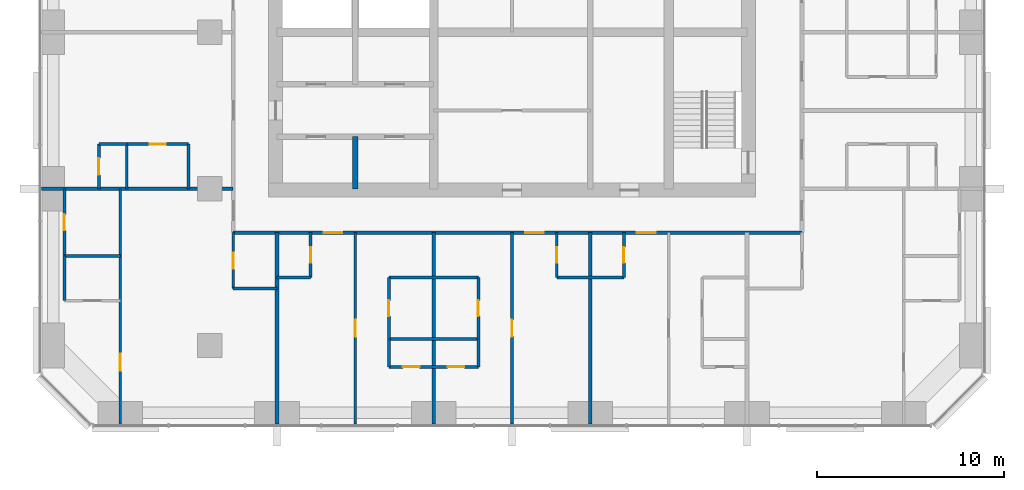
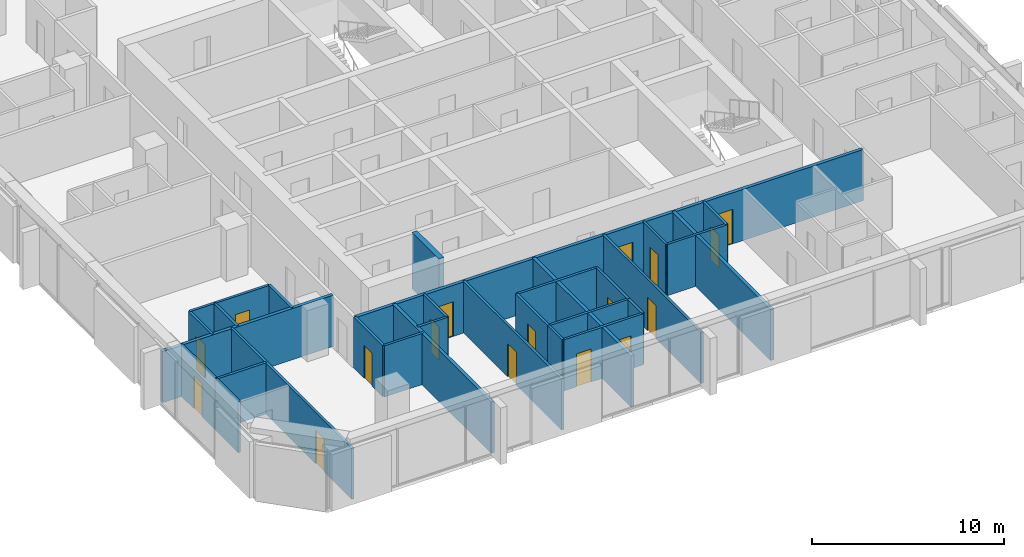
# One storey, part 8 of 14: 31 walls, 17 doors, 17 openings.
"""IFC4 building model written with IfcOpenShell, lengths in metres."""

from ifc_helpers import new_model, si_unit, direction, frame, frame_2d, origin, place, context, subcontext, project, spatial, rectangle, extrude, material, layer, layer_set, type_object, element, fill, save


model = new_model("IFC4")

# Units and contexts
model_context = context("Model", 3, precision=1e-05, world=origin(), true_north=direction((0.0, 1.0)))
body_context = subcontext(model_context, "Body", "Model", "MODEL_VIEW")
ifc_project = project(units=[si_unit("LENGTHUNIT", "METRE"), si_unit("AREAUNIT", "SQUARE_METRE"), si_unit("VOLUMEUNIT", "CUBIC_METRE"), si_unit("PLANEANGLEUNIT", "RADIAN"), si_unit("MASSUNIT", "GRAM", prefix="KILO")], contexts=[model_context])

# Site, building, storey
site_placement = place(None, origin())
site = spatial("IfcSite", under=ifc_project, at=site_placement, CompositionType="ELEMENT")
building_placement = place(site_placement, origin())
building = spatial("IfcBuilding", under=site, at=building_placement, Name="Dunama Terrace Hotel", CompositionType="ELEMENT")
storey_placement = place(building_placement, frame((0.0, 0.0, 177.0)))
storey = spatial("IfcBuildingStorey", under=building, at=storey_placement, Name="L45", CompositionType="ELEMENT", Elevation=177.0)

# Wall, opening, door
ifc_material_1 = material(Name="Gypsum board partition", Category="masonry")
ifc_layer_1 = layer(ifc_material_1, 0.14990234375)
ifc_layer_set_1 = layer_set([ifc_layer_1], Name="Bathroom partition 150")
wall_type_1 = type_object("IfcWallType", Name="Bathroom partition 150", PredefinedType="PARTITIONING", material=ifc_layer_set_1)
wall_1_placement = place(storey_placement, frame((5.39990234375, 13.199951171875, 0.0), z_axis=(0.0, 0.0, 1.0), x_axis=(0.0, 1.0, 0.0)))
wall_1 = element("IfcWall", 1, at=wall_1_placement, inside=storey, type_object=wall_type_1, Name="Bathroom partition 150 L45", PredefinedType="PARTITIONING", context=body_context, shape_type="SweptSolid", body=[
    extrude(rectangle(XDim=3.60009765625, YDim=0.14990234375, at=frame_2d((1.800048828125, 0.0))), origin(), (0.0, 0.0, 1.0), 3.25),
])
opening_1_placement = place(wall_1_placement, frame((1.375, 0.0, 0.0)))
opening_1 = element("IfcOpeningElement", 2, at=opening_1_placement, cuts=wall_1, Name="Opening L45-055", PredefinedType="OPENING", context=body_context, shape_type="SweptSolid", body=[
    extrude(rectangle(XDim=0.85009765625, YDim=2.10009765625, at=frame_2d((0.425048828125, 1.050048828125))), frame((0.0, 0.0849609375, 0.0), z_axis=(0.0, -1.0, 0.0), x_axis=(1.0, 0.0, 0.0)), (0.0, 0.0, 1.0), 0.169921875),
])
ifc_material_2 = material(Name="Timber door with steel frame", Category="steel")
door_type_1 = type_object("IfcDoorType", Name="Bathroom door 850", OperationType="SINGLE_SWING_LEFT", PredefinedType="DOOR", material=ifc_material_2)
door_1_placement = place(opening_1_placement, frame((0.85009765625, 0.0, 0.0), z_axis=(0.0, 0.0, 1.0), x_axis=(-1.0, 0.0, 0.0)))
door_1 = element("IfcDoor", 3, at=door_1_placement, inside=storey, type_object=door_type_1, Name="Door to en-suite bathroom L45-055, type D2", OperationType="SINGLE_SWING_LEFT", OverallHeight=2.10009765625, OverallWidth=0.85009765625, PredefinedType="DOOR", context=body_context, shape_type="SweptSolid", body=[
    extrude(rectangle(XDim=0.85009765625, YDim=2.10009765625, at=frame_2d((0.425048828125, 1.050048828125))), frame((0.0, 0.025146484375, 0.0), z_axis=(0.0, -1.0, 0.0), x_axis=(1.0, 0.0, 0.0)), (0.0, 0.0, 1.0), 0.050048828125),
])
fill(opening_1, door_1)

# Wall
wall_2_placement = place(storey_placement, frame((12.050048828125, 16.800048828125, 0.0), z_axis=(0.0, 0.0, 1.0), x_axis=(0.0, 1.0, 0.0)))
element("IfcWall", 4, at=wall_2_placement, inside=storey, type_object=wall_type_1, Name="Bathroom partition 150 L45", PredefinedType="PARTITIONING", context=body_context, shape_type="SweptSolid", body=[
    extrude(rectangle(XDim=2.39990234375, YDim=0.14990234375, at=frame_2d((1.199951171875, 0.0))), origin(), (0.0, 0.0, 1.0), 3.25),
])

# Wall, opening, door
wall_3_placement = place(storey_placement, frame((14.449951171875, 11.449951171875, 0.0), z_axis=(0.0, 0.0, 1.0), x_axis=(0.0, 1.0, 0.0)))
wall_3 = element("IfcWall", 5, at=wall_3_placement, inside=storey, type_object=wall_type_1, Name="Bathroom partition 150 L45", PredefinedType="PARTITIONING", context=body_context, shape_type="SweptSolid", body=[
    extrude(rectangle(XDim=3.0, YDim=0.14990234375, at=frame_2d((1.5, 0.0))), origin(), (0.0, 0.0, 1.0), 3.25),
])
opening_2_placement = place(wall_3_placement, frame((1.074951171875, 0.0, 0.0)))
opening_2 = element("IfcOpeningElement", 6, at=opening_2_placement, cuts=wall_3, Name="Opening L45-053", PredefinedType="OPENING", context=body_context, shape_type="SweptSolid", body=[
    extrude(rectangle(XDim=0.85009765625, YDim=2.10009765625, at=frame_2d((0.425048828125, 1.050048828125))), frame((0.0, 0.0849609375, 0.0), z_axis=(0.0, -1.0, 0.0), x_axis=(1.0, 0.0, 0.0)), (0.0, 0.0, 1.0), 0.169921875),
])
door_2_placement = place(opening_2_placement, frame((0.85009765625, 0.0, 0.0), z_axis=(0.0, 0.0, 1.0), x_axis=(-1.0, 0.0, 0.0)))
door_2 = element("IfcDoor", 7, at=door_2_placement, inside=storey, type_object=door_type_1, Name="Door to powder room L45-053, type D2", OperationType="SINGLE_SWING_LEFT", OverallHeight=2.10009765625, OverallWidth=0.85009765625, PredefinedType="DOOR", context=body_context, shape_type="SweptSolid", body=[
    extrude(rectangle(XDim=0.85009765625, YDim=2.10009765625, at=frame_2d((0.425048828125, 1.050048828125))), frame((0.0, 0.025146484375, 0.0), z_axis=(0.0, -1.0, 0.0), x_axis=(1.0, 0.0, 0.0)), (0.0, 0.0, 1.0), 0.050048828125),
])
fill(opening_2, door_2)

wall_4_placement = place(storey_placement, frame((18.60009765625, 12.050048828125, 0.0), z_axis=(0.0, 0.0, 1.0), x_axis=(0.0, 1.0, 0.0)))
wall_4 = element("IfcWall", 8, at=wall_4_placement, inside=storey, type_object=wall_type_1, Name="Bathroom partition 150 L45", PredefinedType="PARTITIONING", context=body_context, shape_type="SweptSolid", body=[
    extrude(rectangle(XDim=2.39990234375, YDim=0.14990234375, at=frame_2d((1.199951171875, 0.0))), origin(), (0.0, 0.0, 1.0), 3.25),
])
opening_3_placement = place(wall_4_placement, frame((0.77490234375, 0.0, 0.0)))
opening_3 = element("IfcOpeningElement", 9, at=opening_3_placement, cuts=wall_4, Name="Opening L45-010", PredefinedType="OPENING", context=body_context, shape_type="SweptSolid", body=[
    extrude(rectangle(XDim=0.85009765625, YDim=2.10009765625, at=frame_2d((0.425048828125, 1.050048828125))), frame((0.0, 0.0849609375, 0.0), z_axis=(0.0, -1.0, 0.0), x_axis=(1.0, 0.0, 0.0)), (0.0, 0.0, 1.0), 0.169921875),
])
door_3_placement = place(opening_3_placement, origin())
door_3 = element("IfcDoor", 10, at=door_3_placement, inside=storey, type_object=door_type_1, Name="Door to powder room L45-010, type D2", OperationType="SINGLE_SWING_RIGHT", OverallHeight=2.10009765625, OverallWidth=0.85009765625, PredefinedType="DOOR", context=body_context, shape_type="SweptSolid", body=[
    extrude(rectangle(XDim=0.85009765625, YDim=2.10009765625, at=frame_2d((0.425048828125, 1.050048828125))), frame((0.0, 0.02490234375, 0.0), z_axis=(0.0, -1.0, 0.0), x_axis=(1.0, 0.0, 0.0)), (0.0, 0.0, 1.0), 0.050048828125),
])
fill(opening_3, door_3)

wall_5_placement = place(storey_placement, frame((22.800048828125, 8.75, 0.0), z_axis=(0.0, 0.0, 1.0), x_axis=(0.0, 1.0, 0.0)))
wall_5 = element("IfcWall", 11, at=wall_5_placement, inside=storey, type_object=wall_type_1, Name="Bathroom partition 150 L45", PredefinedType="PARTITIONING", context=body_context, shape_type="SweptSolid", body=[
    extrude(rectangle(XDim=3.300048828125, YDim=0.14990234375, at=frame_2d((1.64990234375, 0.0))), origin(), (0.0, 0.0, 1.0), 3.25),
])
opening_4_placement = place(wall_5_placement, frame((1.22509765625, 0.0, 0.0)))
opening_4 = element("IfcOpeningElement", 12, at=opening_4_placement, cuts=wall_5, Name="Opening L45-012", PredefinedType="OPENING", context=body_context, shape_type="SweptSolid", body=[
    extrude(rectangle(XDim=0.85009765625, YDim=2.10009765625, at=frame_2d((0.425048828125, 1.050048828125))), frame((0.0, 0.0849609375, 0.0), z_axis=(0.0, -1.0, 0.0), x_axis=(1.0, 0.0, 0.0)), (0.0, 0.0, 1.0), 0.169921875),
])
door_4_placement = place(opening_4_placement, frame((0.85009765625, 0.0, 0.0), z_axis=(0.0, 0.0, 1.0), x_axis=(-1.0, 0.0, 0.0)))
door_4 = element("IfcDoor", 13, at=door_4_placement, inside=storey, type_object=door_type_1, Name="Door to en-suite bathroom L45-012, type D2", OperationType="SINGLE_SWING_RIGHT", OverallHeight=2.10009765625, OverallWidth=0.85009765625, PredefinedType="DOOR", context=body_context, shape_type="SweptSolid", body=[
    extrude(rectangle(XDim=0.85009765625, YDim=2.10009765625, at=frame_2d((0.425048828125, 1.050048828125))), frame((0.0, 0.025146484375, 0.0), z_axis=(0.0, -1.0, 0.0), x_axis=(1.0, 0.0, 0.0)), (0.0, 0.0, 1.0), 0.050048828125),
])
fill(opening_4, door_4)

wall_6_placement = place(storey_placement, frame((27.60009765625, 8.75, 0.0), z_axis=(0.0, 0.0, 1.0), x_axis=(0.0, 1.0, 0.0)))
wall_6 = element("IfcWall", 14, at=wall_6_placement, inside=storey, type_object=wall_type_1, Name="Bathroom partition 150 L45", PredefinedType="PARTITIONING", context=body_context, shape_type="SweptSolid", body=[
    extrude(rectangle(XDim=3.300048828125, YDim=0.14990234375, at=frame_2d((1.64990234375, 0.0))), origin(), (0.0, 0.0, 1.0), 3.25),
])
opening_5_placement = place(wall_6_placement, frame((1.22509765625, 0.0, 0.0)))
opening_5 = element("IfcOpeningElement", 15, at=opening_5_placement, cuts=wall_6, Name="Opening L45-017", PredefinedType="OPENING", context=body_context, shape_type="SweptSolid", body=[
    extrude(rectangle(XDim=0.85009765625, YDim=2.10009765625, at=frame_2d((0.425048828125, 1.050048828125))), frame((0.0, 0.0849609375, 0.0), z_axis=(0.0, -1.0, 0.0), x_axis=(1.0, 0.0, 0.0)), (0.0, 0.0, 1.0), 0.169921875),
])
door_5_placement = place(opening_5_placement, origin())
door_5 = element("IfcDoor", 16, at=door_5_placement, inside=storey, type_object=door_type_1, Name="Door to en-suite bathroom L45-017, type D2", OperationType="SINGLE_SWING_LEFT", OverallHeight=2.10009765625, OverallWidth=0.85009765625, PredefinedType="DOOR", context=body_context, shape_type="SweptSolid", body=[
    extrude(rectangle(XDim=0.85009765625, YDim=2.10009765625, at=frame_2d((0.425048828125, 1.050048828125))), frame((0.0, 0.02490234375, 0.0), z_axis=(0.0, -1.0, 0.0), x_axis=(1.0, 0.0, 0.0)), (0.0, 0.0, 1.0), 0.050048828125),
])
fill(opening_5, door_5)

wall_7_placement = place(storey_placement, frame((31.800048828125, 12.050048828125, 0.0), z_axis=(0.0, 0.0, 1.0), x_axis=(0.0, 1.0, 0.0)))
wall_7 = element("IfcWall", 17, at=wall_7_placement, inside=storey, type_object=wall_type_1, Name="Bathroom partition 150 L45", PredefinedType="PARTITIONING", context=body_context, shape_type="SweptSolid", body=[
    extrude(rectangle(XDim=2.39990234375, YDim=0.14990234375, at=frame_2d((1.199951171875, 0.0))), origin(), (0.0, 0.0, 1.0), 3.25),
])
opening_6_placement = place(wall_7_placement, frame((0.77490234375, 0.0, 0.0)))
opening_6 = element("IfcOpeningElement", 18, at=opening_6_placement, cuts=wall_7, Name="Opening L45-015", PredefinedType="OPENING", context=body_context, shape_type="SweptSolid", body=[
    extrude(rectangle(XDim=0.85009765625, YDim=2.10009765625, at=frame_2d((0.425048828125, 1.050048828125))), frame((0.0, 0.0849609375, 0.0), z_axis=(0.0, -1.0, 0.0), x_axis=(1.0, 0.0, 0.0)), (0.0, 0.0, 1.0), 0.169921875),
])
door_6_placement = place(opening_6_placement, frame((0.85009765625, 0.0, 0.0), z_axis=(0.0, 0.0, 1.0), x_axis=(-1.0, 0.0, 0.0)))
door_6 = element("IfcDoor", 19, at=door_6_placement, inside=storey, type_object=door_type_1, Name="Door to powder room L45-015, type D2", OperationType="SINGLE_SWING_LEFT", OverallHeight=2.10009765625, OverallWidth=0.85009765625, PredefinedType="DOOR", context=body_context, shape_type="SweptSolid", body=[
    extrude(rectangle(XDim=0.85009765625, YDim=2.10009765625, at=frame_2d((0.425048828125, 1.050048828125))), frame((0.0, 0.025146484375, 0.0), z_axis=(0.0, -1.0, 0.0), x_axis=(1.0, 0.0, 0.0)), (0.0, 0.0, 1.0), 0.050048828125),
])
fill(opening_6, door_6)

wall_8_placement = place(storey_placement, frame((35.39990234375, 12.050048828125, 0.0), z_axis=(0.0, 0.0, 1.0), x_axis=(0.0, 1.0, 0.0)))
wall_8 = element("IfcWall", 20, at=wall_8_placement, inside=storey, type_object=wall_type_1, Name="Bathroom partition 150 L45", PredefinedType="PARTITIONING", context=body_context, shape_type="SweptSolid", body=[
    extrude(rectangle(XDim=2.39990234375, YDim=0.14990234375, at=frame_2d((1.199951171875, 0.0))), origin(), (0.0, 0.0, 1.0), 3.25),
])
opening_7_placement = place(wall_8_placement, frame((0.77490234375, 0.0, 0.0)))
opening_7 = element("IfcOpeningElement", 21, at=opening_7_placement, cuts=wall_8, Name="Opening L45-020", PredefinedType="OPENING", context=body_context, shape_type="SweptSolid", body=[
    extrude(rectangle(XDim=0.85009765625, YDim=2.10009765625, at=frame_2d((0.425048828125, 1.050048828125))), frame((0.0, 0.0849609375, 0.0), z_axis=(0.0, -1.0, 0.0), x_axis=(1.0, 0.0, 0.0)), (0.0, 0.0, 1.0), 0.169921875),
])
door_7_placement = place(opening_7_placement, origin())
door_7 = element("IfcDoor", 22, at=door_7_placement, inside=storey, type_object=door_type_1, Name="Door to powder room L45-020, type D2", OperationType="SINGLE_SWING_RIGHT", OverallHeight=2.10009765625, OverallWidth=0.85009765625, PredefinedType="DOOR", context=body_context, shape_type="SweptSolid", body=[
    extrude(rectangle(XDim=0.85009765625, YDim=2.10009765625, at=frame_2d((0.425048828125, 1.050048828125))), frame((0.0, 0.02490234375, 0.0), z_axis=(0.0, -1.0, 0.0), x_axis=(1.0, 0.0, 0.0)), (0.0, 0.0, 1.0), 0.050048828125),
])
fill(opening_7, door_7)

# Walls
wall_9_placement = place(storey_placement, frame((14.449951171875, 11.449951171875, 0.0), z_axis=(0.0, 0.0, 1.0), x_axis=(1.0, 0.0, 0.0)))
element("IfcWall", 23, at=wall_9_placement, inside=storey, type_object=wall_type_1, Name="Bathroom partition 150 L45", PredefinedType="PARTITIONING", context=body_context, shape_type="SweptSolid", body=[
    extrude(rectangle(XDim=2.35009765625, YDim=0.14990234375, at=frame_2d((1.175048828125, 0.0))), origin(), (0.0, 0.0, 1.0), 3.25),
])
wall_10_placement = place(storey_placement, frame((16.800048828125, 12.050048828125, 0.0), z_axis=(0.0, 0.0, 1.0), x_axis=(1.0, 0.0, 0.0)))
element("IfcWall", 24, at=wall_10_placement, inside=storey, type_object=wall_type_1, Name="Bathroom partition 150 L45", PredefinedType="PARTITIONING", context=body_context, shape_type="SweptSolid", body=[
    extrude(rectangle(XDim=1.800048828125, YDim=0.14990234375, at=frame_2d((0.89990234375, 0.0))), origin(), (0.0, 0.0, 1.0), 3.25),
])
wall_11_placement = place(storey_placement, frame((22.800048828125, 12.050048828125, 0.0), z_axis=(0.0, 0.0, 1.0), x_axis=(1.0, 0.0, 0.0)))
element("IfcWall", 25, at=wall_11_placement, inside=storey, type_object=wall_type_1, Name="Bathroom partition 150 L45", PredefinedType="PARTITIONING", context=body_context, shape_type="SweptSolid", body=[
    extrude(rectangle(XDim=4.800048828125, YDim=0.14990234375, at=frame_2d((2.39990234375, 0.0))), origin(), (0.0, 0.0, 1.0), 3.25),
])
wall_12_placement = place(storey_placement, frame((31.800048828125, 12.050048828125, 0.0), z_axis=(0.0, 0.0, 1.0), x_axis=(1.0, 0.0, 0.0)))
element("IfcWall", 26, at=wall_12_placement, inside=storey, type_object=wall_type_1, Name="Bathroom partition 150 L45", PredefinedType="PARTITIONING", context=body_context, shape_type="SweptSolid", body=[
    extrude(rectangle(XDim=3.599853515625, YDim=0.14990234375, at=frame_2d((1.7998046875, 0.0))), origin(), (0.0, 0.0, 1.0), 3.25),
])

# Wall, opening, door
wall_13_placement = place(storey_placement, frame((8.75, 19.199951171875, 0.0), z_axis=(0.0, 0.0, 1.0), x_axis=(1.0, 0.0, 0.0)))
wall_13 = element("IfcWall", 27, at=wall_13_placement, inside=storey, type_object=wall_type_1, Name="Bathroom partition 150 L45", PredefinedType="PARTITIONING", context=body_context, shape_type="SweptSolid", body=[
    extrude(rectangle(XDim=3.300048828125, YDim=0.14990234375, at=frame_2d((1.64990234375, 0.0))), origin(), (0.0, 0.0, 1.0), 3.25),
])
opening_8_placement = place(wall_13_placement, frame((1.22509765625, 0.0, 0.0)))
opening_8 = element("IfcOpeningElement", 28, at=opening_8_placement, cuts=wall_13, Name="Opening L45-043", PredefinedType="OPENING", context=body_context, shape_type="SweptSolid", body=[
    extrude(rectangle(XDim=0.85009765625, YDim=2.10009765625, at=frame_2d((0.425048828125, 1.050048828125))), frame((0.0, 0.0849609375, 0.0), z_axis=(0.0, -1.0, 0.0), x_axis=(1.0, 0.0, 0.0)), (0.0, 0.0, 1.0), 0.169921875),
])
door_8_placement = place(opening_8_placement, frame((0.85009765625, 0.0, 0.0), z_axis=(0.0, 0.0, 1.0), x_axis=(-1.0, 0.0, 0.0)))
door_8 = element("IfcDoor", 29, at=door_8_placement, inside=storey, type_object=door_type_1, Name="Door to en-suite bathroom L45-043, type D2", OperationType="SINGLE_SWING_RIGHT", OverallHeight=2.10009765625, OverallWidth=0.85009765625, PredefinedType="DOOR", context=body_context, shape_type="SweptSolid", body=[
    extrude(rectangle(XDim=0.85009765625, YDim=2.10009765625, at=frame_2d((0.425048828125, 1.050048828125))), frame((0.0, 0.025146484375, 0.0), z_axis=(0.0, -1.0, 0.0), x_axis=(1.0, 0.0, 0.0)), (0.0, 0.0, 1.0), 0.050048828125),
])
fill(opening_8, door_8)

# Wall
ifc_material_3 = material(Name="Concrete C50/60", Category="concrete")
ifc_layer_2 = layer(ifc_material_3, 0.300048828125)
ifc_layer_set_2 = layer_set([ifc_layer_2], Name="Core inner wall 300")
wall_type_2 = type_object("IfcWallType", Name="Core inner wall 300", PredefinedType="SHEAR", material=ifc_layer_set_2)
wall_14_placement = place(storey_placement, frame((21.0, 16.800048828125, -0.35009765625), z_axis=(0.0, 0.0, 1.0), x_axis=(0.0, 1.0, 0.0)))
element("IfcWall", 30, at=wall_14_placement, inside=storey, type_object=wall_type_2, Name="Core inner wall 300 L45", PredefinedType="SHEAR", context=body_context, shape_type="SweptSolid", body=[
    extrude(rectangle(XDim=2.800048828125, YDim=0.300048828125, at=frame_2d((1.39990234375, 0.0))), origin(), (0.0, 0.0, 1.0), 3.60009765625),
])

# Wall, openings, doors
ifc_material_4 = material(Name="Concrete blockwork", Category="masonry")
ifc_layer_3 = layer(ifc_material_4, 0.199951171875)
ifc_layer_set_3 = layer_set([ifc_layer_3], Name="Corridor partition 200")
wall_type_3 = type_object("IfcWallType", Name="Corridor partition 200", PredefinedType="PARTITIONING", material=ifc_layer_set_3)
wall_15_placement = place(storey_placement, frame((44.949951171875, 14.449951171875, 0.0), z_axis=(0.0, 0.0, 1.0), x_axis=(-1.0, 0.0, 0.0)))
wall_15 = element("IfcWall", 31, at=wall_15_placement, inside=storey, type_object=wall_type_3, Name="Corridor partition 200 L45", PredefinedType="PARTITIONING", context=body_context, shape_type="SweptSolid", body=[
    extrude(rectangle(XDim=30.5, YDim=0.199951171875, at=frame_2d((15.25, 0.0))), origin(), (0.0, 0.0, 1.0), 3.25),
])
opening_9_placement = place(wall_15_placement, frame((24.64990234375, 0.0, 0.0)))
opening_9 = element("IfcOpeningElement", 32, at=opening_9_placement, cuts=wall_15, Name="Opening L45-009", PredefinedType="OPENING", context=body_context, shape_type="SweptSolid", body=[
    extrude(rectangle(XDim=1.0, YDim=2.199951171875, at=frame_2d((0.5, 1.10009765625))), frame((0.0, 0.10986328125, 0.0), z_axis=(0.0, -1.0, 0.0), x_axis=(1.0, 0.0, 0.0)), (0.0, 0.0, 1.0), 0.219970703125),
])
opening_10_placement = place(wall_15_placement, frame((13.85009765625, 0.0, 0.0)))
opening_10 = element("IfcOpeningElement", 33, at=opening_10_placement, cuts=wall_15, Name="Opening L45-014", PredefinedType="OPENING", context=body_context, shape_type="SweptSolid", body=[
    extrude(rectangle(XDim=1.0, YDim=2.199951171875, at=frame_2d((0.5, 1.10009765625))), frame((0.0, 0.10986328125, 0.0), z_axis=(0.0, -1.0, 0.0), x_axis=(1.0, 0.0, 0.0)), (0.0, 0.0, 1.0), 0.219970703125),
])
opening_11_placement = place(wall_15_placement, frame((7.85009765625, 0.0, 0.0)))
opening_11 = element("IfcOpeningElement", 34, at=opening_11_placement, cuts=wall_15, Name="Opening L45-019", PredefinedType="OPENING", context=body_context, shape_type="SweptSolid", body=[
    extrude(rectangle(XDim=1.0, YDim=2.199951171875, at=frame_2d((0.5, 1.10009765625))), frame((0.0, 0.10986328125, 0.0), z_axis=(0.0, -1.0, 0.0), x_axis=(1.0, 0.0, 0.0)), (0.0, 0.0, 1.0), 0.219970703125),
])
ifc_material_5 = material(Name="Timber door with steel frame", Category="steel")
door_type_2 = type_object("IfcDoorType", Name="Guest room door 1000", OperationType="SINGLE_SWING_LEFT", PredefinedType="DOOR", material=ifc_material_5)
door_9_placement = place(opening_9_placement, origin())
door_9 = element("IfcDoor", 35, at=door_9_placement, inside=storey, type_object=door_type_2, Name="Door to executive club suite living room L45-009, type D1", OperationType="SINGLE_SWING_LEFT", OverallHeight=2.199951171875, OverallWidth=1.0, PredefinedType="DOOR", context=body_context, shape_type="SweptSolid", body=[
    extrude(rectangle(XDim=1.0, YDim=2.199951171875, at=frame_2d((0.5, 1.10009765625))), frame((0.0, 0.02490234375, 0.0), z_axis=(0.0, -1.0, 0.0), x_axis=(1.0, 0.0, 0.0)), (0.0, 0.0, 1.0), 0.050048828125),
])
fill(opening_9, door_9)
door_10_placement = place(opening_10_placement, origin())
door_10 = element("IfcDoor", 36, at=door_10_placement, inside=storey, type_object=door_type_2, Name="Door to executive club suite living room L45-014, type D1", OperationType="SINGLE_SWING_LEFT", OverallHeight=2.199951171875, OverallWidth=1.0, PredefinedType="DOOR", context=body_context, shape_type="SweptSolid", body=[
    extrude(rectangle(XDim=1.0, YDim=2.199951171875, at=frame_2d((0.5, 1.10009765625))), frame((0.0, 0.02490234375, 0.0), z_axis=(0.0, -1.0, 0.0), x_axis=(1.0, 0.0, 0.0)), (0.0, 0.0, 1.0), 0.050048828125),
])
fill(opening_10, door_10)
door_11_placement = place(opening_11_placement, origin())
door_11 = element("IfcDoor", 37, at=door_11_placement, inside=storey, type_object=door_type_2, Name="Door to executive club suite living room L45-019, type D1", OperationType="SINGLE_SWING_LEFT", OverallHeight=2.199951171875, OverallWidth=1.0, PredefinedType="DOOR", context=body_context, shape_type="SweptSolid", body=[
    extrude(rectangle(XDim=1.0, YDim=2.199951171875, at=frame_2d((0.5, 1.10009765625))), frame((0.0, 0.02490234375, 0.0), z_axis=(0.0, -1.0, 0.0), x_axis=(1.0, 0.0, 0.0)), (0.0, 0.0, 1.0), 0.050048828125),
])
fill(opening_11, door_11)

# Walls
ifc_material_6 = material(Name="Concrete blockwork", Category="masonry")
ifc_layer_4 = layer(ifc_material_6, 0.199951171875)
ifc_layer_set_4 = layer_set([ifc_layer_4], Name="Party wall 200")
wall_type_4 = type_object("IfcWallType", Name="Party wall 200", PredefinedType="PARTITIONING", material=ifc_layer_set_4)
for number, where, z_axis, x_axis, name in (
    (38, (16.800048828125, 4.181884765625, 0.0), (0.0, 0.0, 1.0), (0.0, 1.0, 0.0), "Party wall 200 L45"),
    (39, (25.199951171875, 4.181884765625, 0.0), (0.0, 0.0, 1.0), (0.0, 1.0, 0.0), "Party wall 200 L45"),
    (40, (33.60009765625, 4.181884765625, 0.0), (0.0, 0.0, 1.0), (0.0, 1.0, 0.0), "Party wall 200 L45"),
    (41, (4.181884765625, 16.800048828125, 0.0), (0.0, 0.0, 1.0), (1.0, 0.0, 0.0), "Party wall 200 L45"),
):
    element("IfcWall", number, at=place(storey_placement, frame(where, z_axis=z_axis, x_axis=x_axis)), inside=storey, type_object=wall_type_4, Name=name, PredefinedType="PARTITIONING", context=body_context, shape_type="SweptSolid", body=[
        extrude(rectangle(XDim=10.26806640625, YDim=0.199951171875, at=frame_2d((5.134033203125, 0.0))), origin(), (0.0, 0.0, 1.0), 3.25),
    ])
ifc_material_7 = material(Name="Gypsum board partition", Category="masonry")
ifc_layer_5 = layer(ifc_material_7, 0.14990234375)
ifc_layer_set_5 = layer_set([ifc_layer_5], Name="Room partition 150")
wall_type_5 = type_object("IfcWallType", Name="Room partition 150", PredefinedType="PARTITIONING", material=ifc_layer_set_5)
wall_16_placement = place(storey_placement, frame((5.39990234375, 10.800048828125, 0.0), z_axis=(0.0, 0.0, 1.0), x_axis=(0.0, 1.0, 0.0)))
element("IfcWall", 42, at=wall_16_placement, inside=storey, type_object=wall_type_5, Name="Room partition 150 L45", PredefinedType="PARTITIONING", context=body_context, shape_type="SweptSolid", body=[
    extrude(rectangle(XDim=2.39990234375, YDim=0.14990234375, at=frame_2d((1.199951171875, 0.0))), origin(), (0.0, 0.0, 1.0), 3.25),
])

# Wall, opening, door
wall_17_placement = place(storey_placement, frame((7.25, 16.800048828125, 0.0), z_axis=(0.0, 0.0, 1.0), x_axis=(0.0, 1.0, 0.0)))
wall_17 = element("IfcWall", 43, at=wall_17_placement, inside=storey, type_object=wall_type_5, Name="Room partition 150 L45", PredefinedType="PARTITIONING", context=body_context, shape_type="SweptSolid", body=[
    extrude(rectangle(XDim=2.39990234375, YDim=0.14990234375, at=frame_2d((1.199951171875, 0.0))), origin(), (0.0, 0.0, 1.0), 3.25),
])
opening_12_placement = place(wall_17_placement, frame((0.75, 0.0, 0.0)))
opening_12 = element("IfcOpeningElement", 44, at=opening_12_placement, cuts=wall_17, Name="Opening L45-044", PredefinedType="OPENING", context=body_context, shape_type="SweptSolid", body=[
    extrude(rectangle(XDim=0.89990234375, YDim=2.10009765625, at=frame_2d((0.449951171875, 1.050048828125))), frame((0.0, 0.0849609375, 0.0), z_axis=(0.0, -1.0, 0.0), x_axis=(1.0, 0.0, 0.0)), (0.0, 0.0, 1.0), 0.169921875),
])
ifc_material_8 = material(Name="Timber door with steel frame", Category="steel")
door_type_3 = type_object("IfcDoorType", Name="Suite internal door 900", OperationType="SINGLE_SWING_LEFT", PredefinedType="DOOR", material=ifc_material_8)
door_12_placement = place(opening_12_placement, frame((0.89990234375, 0.0, 0.0), z_axis=(0.0, 0.0, 1.0), x_axis=(-1.0, 0.0, 0.0)))
door_12 = element("IfcDoor", 45, at=door_12_placement, inside=storey, type_object=door_type_3, Name="Door to walk-in wardrobe L45-044, type D16", OperationType="SINGLE_SWING_RIGHT", OverallHeight=2.10009765625, OverallWidth=0.89990234375, PredefinedType="DOOR", context=body_context, shape_type="SweptSolid", body=[
    extrude(rectangle(XDim=0.89990234375, YDim=2.10009765625, at=frame_2d((0.449951171875, 1.050048828125))), frame((0.0, 0.025146484375, 0.0), z_axis=(0.0, -1.0, 0.0), x_axis=(1.0, 0.0, 0.0)), (0.0, 0.0, 1.0), 0.050048828125),
])
fill(opening_12, door_12)

wall_18_placement = place(storey_placement, frame((8.39990234375, 4.181884765625, 0.0), z_axis=(0.0, 0.0, 1.0), x_axis=(0.0, 1.0, 0.0)))
wall_18 = element("IfcWall", 46, at=wall_18_placement, inside=storey, type_object=wall_type_5, Name="Room partition 150 L45", PredefinedType="PARTITIONING", context=body_context, shape_type="SweptSolid", body=[
    extrude(rectangle(XDim=12.6181640625, YDim=0.14990234375, at=frame_2d((6.30908203125, 0.0))), origin(), (0.0, 0.0, 1.0), 3.25),
])
opening_13_placement = place(wall_18_placement, frame((2.867919921875, 0.0, 0.0)))
opening_13 = element("IfcOpeningElement", 47, at=opening_13_placement, cuts=wall_18, Name="Opening L45-054", PredefinedType="OPENING", context=body_context, shape_type="SweptSolid", body=[
    extrude(rectangle(XDim=0.89990234375, YDim=2.10009765625, at=frame_2d((0.449951171875, 1.050048828125))), frame((0.0, 0.0849609375, 0.0), z_axis=(0.0, -1.0, 0.0), x_axis=(1.0, 0.0, 0.0)), (0.0, 0.0, 1.0), 0.169921875),
])
door_13_placement = place(opening_13_placement, origin())
door_13 = element("IfcDoor", 48, at=door_13_placement, inside=storey, type_object=door_type_3, Name="Door to corner suite bedroom L45-054, type D16", OperationType="SINGLE_SWING_LEFT", OverallHeight=2.10009765625, OverallWidth=0.89990234375, PredefinedType="DOOR", context=body_context, shape_type="SweptSolid", body=[
    extrude(rectangle(XDim=0.89990234375, YDim=2.10009765625, at=frame_2d((0.449951171875, 1.050048828125))), frame((0.0, 0.02490234375, 0.0), z_axis=(0.0, -1.0, 0.0), x_axis=(1.0, 0.0, 0.0)), (0.0, 0.0, 1.0), 0.050048828125),
])
fill(opening_13, door_13)

# Wall
wall_19_placement = place(storey_placement, frame((8.75, 16.800048828125, 0.0), z_axis=(0.0, 0.0, 1.0), x_axis=(0.0, 1.0, 0.0)))
element("IfcWall", 49, at=wall_19_placement, inside=storey, type_object=wall_type_5, Name="Room partition 150 L45", PredefinedType="PARTITIONING", context=body_context, shape_type="SweptSolid", body=[
    extrude(rectangle(XDim=2.39990234375, YDim=0.14990234375, at=frame_2d((1.199951171875, 0.0))), origin(), (0.0, 0.0, 1.0), 3.25),
])

# Wall, opening, door
wall_20_placement = place(storey_placement, frame((21.0, 4.181884765625, 0.0), z_axis=(0.0, 0.0, 1.0), x_axis=(0.0, 1.0, 0.0)))
wall_20 = element("IfcWall", 50, at=wall_20_placement, inside=storey, type_object=wall_type_5, Name="Room partition 150 L45", PredefinedType="PARTITIONING", context=body_context, shape_type="SweptSolid", body=[
    extrude(rectangle(XDim=10.26806640625, YDim=0.14990234375, at=frame_2d((5.134033203125, 0.0))), origin(), (0.0, 0.0, 1.0), 3.25),
])
opening_14_placement = place(wall_20_placement, frame((4.693115234375, 0.0, 0.0)))
opening_14 = element("IfcOpeningElement", 51, at=opening_14_placement, cuts=wall_20, Name="Opening L45-011", PredefinedType="OPENING", context=body_context, shape_type="SweptSolid", body=[
    extrude(rectangle(XDim=0.89990234375, YDim=2.10009765625, at=frame_2d((0.449951171875, 1.050048828125))), frame((0.0, 0.0849609375, 0.0), z_axis=(0.0, -1.0, 0.0), x_axis=(1.0, 0.0, 0.0)), (0.0, 0.0, 1.0), 0.169921875),
])
door_14_placement = place(opening_14_placement, frame((0.89990234375, 0.0, 0.0), z_axis=(0.0, 0.0, 1.0), x_axis=(-1.0, 0.0, 0.0)))
door_14 = element("IfcDoor", 52, at=door_14_placement, inside=storey, type_object=door_type_3, Name="Door to executive club suite bedroom L45-011, type D16", OperationType="SINGLE_SWING_RIGHT", OverallHeight=2.10009765625, OverallWidth=0.89990234375, PredefinedType="DOOR", context=body_context, shape_type="SweptSolid", body=[
    extrude(rectangle(XDim=0.89990234375, YDim=2.10009765625, at=frame_2d((0.449951171875, 1.050048828125))), frame((0.0, 0.025146484375, 0.0), z_axis=(0.0, -1.0, 0.0), x_axis=(1.0, 0.0, 0.0)), (0.0, 0.0, 1.0), 0.050048828125),
])
fill(opening_14, door_14)

# Walls
for number, where, z_axis, x_axis, name in (
    (53, (22.800048828125, 7.25, 0.0), (0.0, 0.0, 1.0), (0.0, 1.0, 0.0), "Room partition 150 L45"),
    (54, (27.60009765625, 7.25, 0.0), (0.0, 0.0, 1.0), (0.0, 1.0, 0.0), "Room partition 150 L45"),
):
    element("IfcWall", number, at=place(storey_placement, frame(where, z_axis=z_axis, x_axis=x_axis)), inside=storey, type_object=wall_type_5, Name=name, PredefinedType="PARTITIONING", context=body_context, shape_type="SweptSolid", body=[
        extrude(rectangle(XDim=1.5, YDim=0.14990234375, at=frame_2d((0.75, 0.0))), origin(), (0.0, 0.0, 1.0), 3.25),
    ])

# Wall, opening, door
wall_21_placement = place(storey_placement, frame((29.39990234375, 4.181884765625, 0.0), z_axis=(0.0, 0.0, 1.0), x_axis=(0.0, 1.0, 0.0)))
wall_21 = element("IfcWall", 55, at=wall_21_placement, inside=storey, type_object=wall_type_5, Name="Room partition 150 L45", PredefinedType="PARTITIONING", context=body_context, shape_type="SweptSolid", body=[
    extrude(rectangle(XDim=10.26806640625, YDim=0.14990234375, at=frame_2d((5.134033203125, 0.0))), origin(), (0.0, 0.0, 1.0), 3.25),
])
opening_15_placement = place(wall_21_placement, frame((4.693115234375, 0.0, 0.0)))
opening_15 = element("IfcOpeningElement", 56, at=opening_15_placement, cuts=wall_21, Name="Opening L45-016", PredefinedType="OPENING", context=body_context, shape_type="SweptSolid", body=[
    extrude(rectangle(XDim=0.89990234375, YDim=2.10009765625, at=frame_2d((0.449951171875, 1.050048828125))), frame((0.0, 0.0849609375, 0.0), z_axis=(0.0, -1.0, 0.0), x_axis=(1.0, 0.0, 0.0)), (0.0, 0.0, 1.0), 0.169921875),
])
door_15_placement = place(opening_15_placement, origin())
door_15 = element("IfcDoor", 57, at=door_15_placement, inside=storey, type_object=door_type_3, Name="Door to executive club suite bedroom L45-016, type D16", OperationType="SINGLE_SWING_LEFT", OverallHeight=2.10009765625, OverallWidth=0.89990234375, PredefinedType="DOOR", context=body_context, shape_type="SweptSolid", body=[
    extrude(rectangle(XDim=0.89990234375, YDim=2.10009765625, at=frame_2d((0.449951171875, 1.050048828125))), frame((0.0, 0.02490234375, 0.0), z_axis=(0.0, -1.0, 0.0), x_axis=(1.0, 0.0, 0.0)), (0.0, 0.0, 1.0), 0.050048828125),
])
fill(opening_15, door_15)

# Wall, openings, doors
wall_22_placement = place(storey_placement, frame((22.800048828125, 7.25, 0.0), z_axis=(0.0, 0.0, 1.0), x_axis=(1.0, 0.0, 0.0)))
wall_22 = element("IfcWall", 58, at=wall_22_placement, inside=storey, type_object=wall_type_5, Name="Room partition 150 L45", PredefinedType="PARTITIONING", context=body_context, shape_type="SweptSolid", body=[
    extrude(rectangle(XDim=4.800048828125, YDim=0.14990234375, at=frame_2d((2.39990234375, 0.0))), origin(), (0.0, 0.0, 1.0), 3.25),
])
opening_16_placement = place(wall_22_placement, frame((0.75, 0.0, 0.0)))
opening_16 = element("IfcOpeningElement", 59, at=opening_16_placement, cuts=wall_22, Name="Opening L45-013", PredefinedType="OPENING", context=body_context, shape_type="SweptSolid", body=[
    extrude(rectangle(XDim=0.89990234375, YDim=2.10009765625, at=frame_2d((0.449951171875, 1.050048828125))), frame((0.0, 0.0849609375, 0.0), z_axis=(0.0, -1.0, 0.0), x_axis=(1.0, 0.0, 0.0)), (0.0, 0.0, 1.0), 0.169921875),
])
opening_17_placement = place(wall_22_placement, frame((3.14990234375, 0.0, 0.0)))
opening_17 = element("IfcOpeningElement", 60, at=opening_17_placement, cuts=wall_22, Name="Opening L45-018", PredefinedType="OPENING", context=body_context, shape_type="SweptSolid", body=[
    extrude(rectangle(XDim=0.89990234375, YDim=2.10009765625, at=frame_2d((0.449951171875, 1.050048828125))), frame((0.0, 0.0849609375, 0.0), z_axis=(0.0, -1.0, 0.0), x_axis=(1.0, 0.0, 0.0)), (0.0, 0.0, 1.0), 0.169921875),
])
door_16_placement = place(opening_16_placement, origin())
door_16 = element("IfcDoor", 61, at=door_16_placement, inside=storey, type_object=door_type_3, Name="Door to walk-in wardrobe L45-013, type D16", OperationType="SINGLE_SWING_LEFT", OverallHeight=2.10009765625, OverallWidth=0.89990234375, PredefinedType="DOOR", context=body_context, shape_type="SweptSolid", body=[
    extrude(rectangle(XDim=0.89990234375, YDim=2.10009765625, at=frame_2d((0.449951171875, 1.050048828125))), frame((0.0, 0.02490234375, 0.0), z_axis=(0.0, -1.0, 0.0), x_axis=(1.0, 0.0, 0.0)), (0.0, 0.0, 1.0), 0.050048828125),
])
fill(opening_16, door_16)
door_17_placement = place(opening_17_placement, origin())
door_17 = element("IfcDoor", 62, at=door_17_placement, inside=storey, type_object=door_type_3, Name="Door to walk-in wardrobe L45-018, type D16", OperationType="SINGLE_SWING_LEFT", OverallHeight=2.10009765625, OverallWidth=0.89990234375, PredefinedType="DOOR", context=body_context, shape_type="SweptSolid", body=[
    extrude(rectangle(XDim=0.89990234375, YDim=2.10009765625, at=frame_2d((0.449951171875, 1.050048828125))), frame((0.0, 0.02490234375, 0.0), z_axis=(0.0, -1.0, 0.0), x_axis=(1.0, 0.0, 0.0)), (0.0, 0.0, 1.0), 0.050048828125),
])
fill(opening_17, door_17)

# Walls
wall_23_placement = place(storey_placement, frame((22.800048828125, 8.75, 0.0), z_axis=(0.0, 0.0, 1.0), x_axis=(1.0, 0.0, 0.0)))
element("IfcWall", 63, at=wall_23_placement, inside=storey, type_object=wall_type_5, Name="Room partition 150 L45", PredefinedType="PARTITIONING", context=body_context, shape_type="SweptSolid", body=[
    extrude(rectangle(XDim=4.800048828125, YDim=0.14990234375, at=frame_2d((2.39990234375, 0.0))), origin(), (0.0, 0.0, 1.0), 3.25),
])
wall_24_placement = place(storey_placement, frame((5.39990234375, 13.199951171875, 0.0), z_axis=(0.0, 0.0, 1.0), x_axis=(1.0, 0.0, 0.0)))
element("IfcWall", 64, at=wall_24_placement, inside=storey, type_object=wall_type_5, Name="Room partition 150 L45", PredefinedType="PARTITIONING", context=body_context, shape_type="SweptSolid", body=[
    extrude(rectangle(XDim=3.0, YDim=0.14990234375, at=frame_2d((1.5, 0.0))), origin(), (0.0, 0.0, 1.0), 3.25),
])
wall_25_placement = place(storey_placement, frame((7.25, 19.199951171875, 0.0), z_axis=(0.0, 0.0, 1.0), x_axis=(1.0, 0.0, 0.0)))
element("IfcWall", 65, at=wall_25_placement, inside=storey, type_object=wall_type_5, Name="Room partition 150 L45", PredefinedType="PARTITIONING", context=body_context, shape_type="SweptSolid", body=[
    extrude(rectangle(XDim=1.5, YDim=0.14990234375, at=frame_2d((0.75, 0.0))), origin(), (0.0, 0.0, 1.0), 3.25),
])

save(model, "model.ifc")
